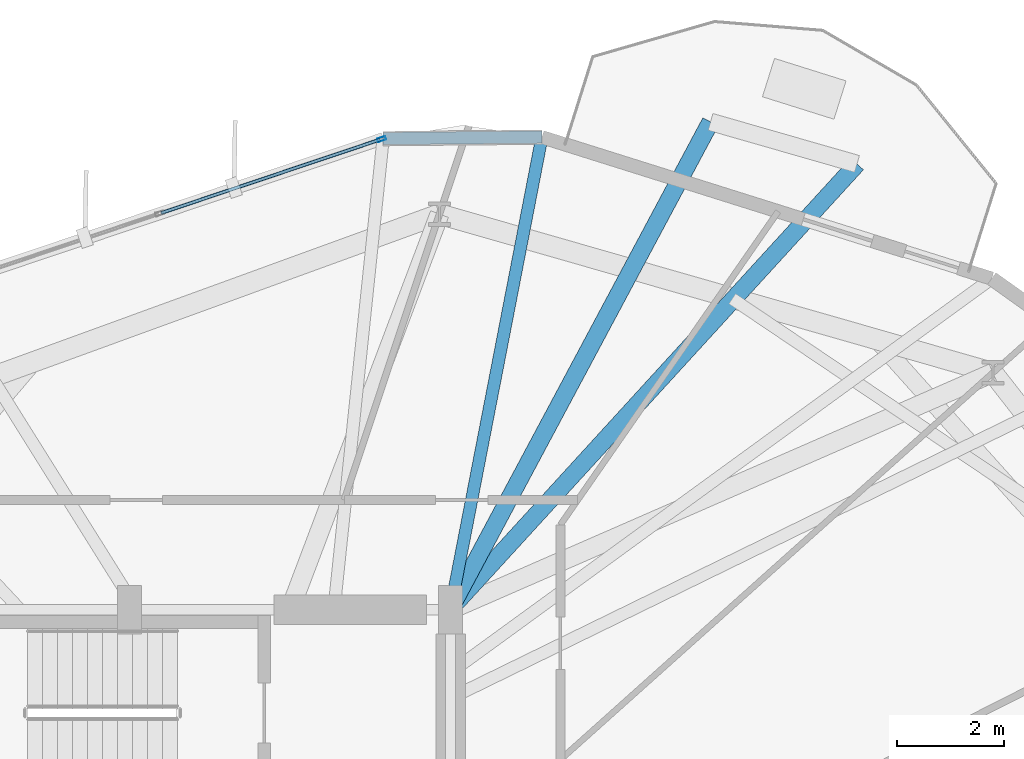
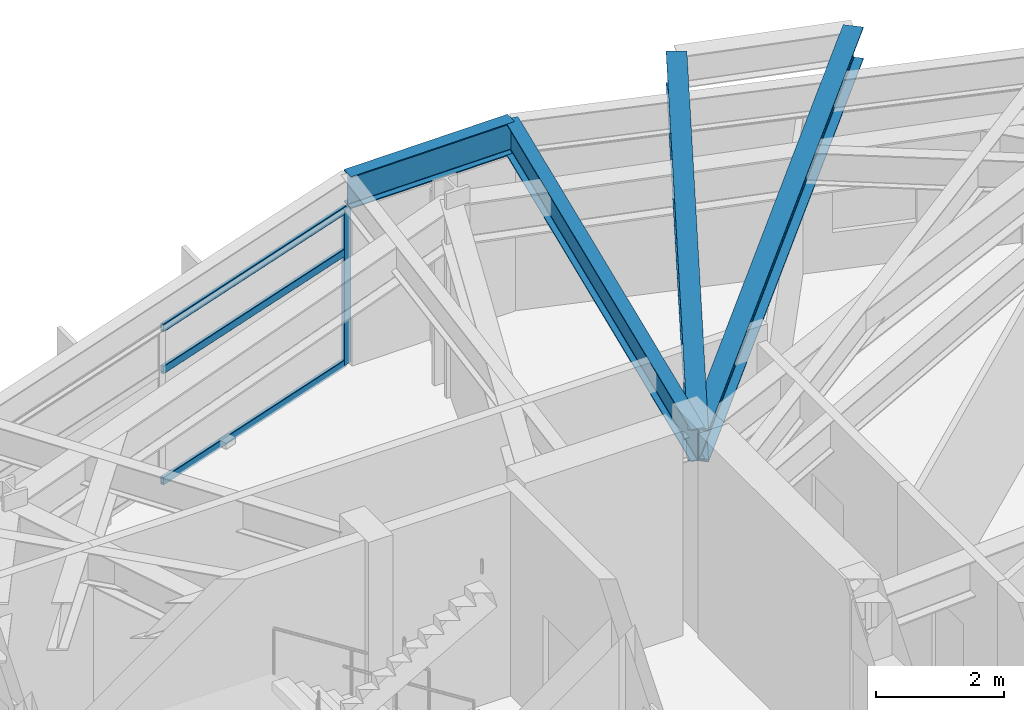
# One storey, part 18 of 27: 4 beams, 4 members, 1 element without a shape of its own.
"""IFC4 building model written with IfcOpenShell, lengths in metres."""

from ifc_helpers import new_model, si_unit, direction, frame, origin, origin_2d, place, context, subcontext, project, spatial, hollow_rectangle, i_section, extrude, material, layer, layer_set, material_profile, profile_set, type_object, element, aggregate, save


model = new_model("IFC4")

# Units and contexts
model_context = context("Model", 3, precision=1e-05, world=origin(), true_north=direction((0.0, 1.0)))
body_context = subcontext(model_context, "Body", "Model", "MODEL_VIEW")
ifc_project = project(units=[si_unit("LENGTHUNIT", "METRE"), si_unit("AREAUNIT", "SQUARE_METRE"), si_unit("VOLUMEUNIT", "CUBIC_METRE"), si_unit("PLANEANGLEUNIT", "RADIAN"), si_unit("MASSUNIT", "GRAM", prefix="KILO")], contexts=[model_context])

# Site, building, storey
site_placement = place(None, origin())
site = spatial("IfcSite", under=ifc_project, at=site_placement, CompositionType="ELEMENT")
building_placement = place(site_placement, origin())
building = spatial("IfcBuilding", under=site, at=building_placement, Name="Soratama Intermodal Tower", CompositionType="ELEMENT")
storey_placement = place(building_placement, frame((0.0, 0.0, 103.0)))
storey = spatial("IfcBuildingStorey", under=building, at=storey_placement, Name="L24", CompositionType="ELEMENT", Elevation=103.0)

# Beams
ifc_material_1 = material(Name="Structural steel ASTM A992 Grade 50", Category="steel")
ifc_material_profile_1 = material_profile(ifc_material_1, i_section(OverallWidth=0.324951171875, OverallDepth=0.615966796875, WebThickness=0.013916015625, FlangeThickness=0.021484375, FilletRadius=0.013916015625, at=origin_2d()), Name="W24X117")
ifc_profile_set_1 = profile_set([ifc_material_profile_1], Name="Structural steel ASTM A992 Grade 50")
beam_type_1 = type_object("IfcBeamType", Name="BM-CANT-W24X117", PredefinedType="BEAM", material=ifc_profile_set_1)
beam_1_placement = place(storey_placement, frame((44.60888671875, 35.030029296875, 3.2919921875), z_axis=(0.674633961888, 0.738152435116, 0.0), x_axis=(-0.738152435116, 0.674633961888, 0.0)))
element("IfcBeam", 1, at=beam_1_placement, inside=storey, type_object=beam_type_1, Name="BM-L24-CANT-2-1", PredefinedType="BEAM", context=body_context, shape_type="SweptSolid", body=[
    extrude(i_section(OverallWidth=0.324951171875, OverallDepth=0.615966796875, WebThickness=0.013916015625, FlangeThickness=0.021484375, FilletRadius=0.013916015625, at=origin_2d()), origin(), (0.0, 0.0, 1.0), 11.23876953125),
])
beam_2_placement = place(storey_placement, frame((44.60400390625, 35.034912109375, 3.2919921875), z_axis=(0.471378543734, 0.881930988518, 0.0), x_axis=(-0.881930988518, 0.471378543734, 0.0)))
element("IfcBeam", 2, at=beam_2_placement, inside=storey, type_object=beam_type_1, Name="BM-L24-CANT-2-2", PredefinedType="BEAM", context=body_context, shape_type="SweptSolid", body=[
    extrude(i_section(OverallWidth=0.324951171875, OverallDepth=0.615966796875, WebThickness=0.013916015625, FlangeThickness=0.021484375, FilletRadius=0.013916015625, at=origin_2d()), origin(), (0.0, 0.0, 1.0), 10.291259765625),
])
ifc_material_2 = material(Name="Structural steel ASTM A992 Grade 50", Category="steel")
ifc_material_profile_2 = material_profile(ifc_material_2, i_section(OverallWidth=0.22900390625, OverallDepth=0.612060546875, WebThickness=0.011962890625, FlangeThickness=0.01953125, FilletRadius=0.012939453125, at=origin_2d()), Name="W24X84")
ifc_profile_set_2 = profile_set([ifc_material_profile_2], Name="Structural steel ASTM A992 Grade 50")
beam_type_2 = type_object("IfcBeamType", Name="BM-SPN-W24X84", PredefinedType="SPANDREL", material=ifc_profile_set_2)
beam_3_placement = place(storey_placement, frame((46.305908203125, 43.827880859375, 3.2939453125), z_axis=(-0.999955970733, -0.009383847602, 0.0), x_axis=(0.009383847602, -0.999955970733, 0.0)))
element("IfcBeam", 3, at=beam_3_placement, inside=storey, type_object=beam_type_2, Name="BS-L24-CRN02", PredefinedType="SPANDREL", context=body_context, shape_type="SweptSolid", body=[
    extrude(i_section(OverallWidth=0.22900390625, OverallDepth=0.612060546875, WebThickness=0.011962890625, FlangeThickness=0.01953125, FilletRadius=0.012939453125, at=origin_2d()), origin(), (0.0, 0.0, 1.0), 2.966064453125),
])
ifc_material_3 = material(Name="Structural steel ASTM A992 Grade 50", Category="steel")
ifc_material_profile_3 = material_profile(ifc_material_3, i_section(OverallWidth=0.22900390625, OverallDepth=0.612060546875, WebThickness=0.011962890625, FlangeThickness=0.01953125, FilletRadius=0.012939453125, at=origin_2d()), Name="W24X84")
ifc_profile_set_3 = profile_set([ifc_material_profile_3], Name="Structural steel ASTM A992 Grade 50")
beam_type_3 = type_object("IfcBeamType", Name="BM-TIE-W24X84", PredefinedType="BEAM", material=ifc_profile_set_3)
beam_4_placement = place(storey_placement, frame((44.60302734375, 35.0390625, 3.2939453125), z_axis=(0.190217780672, 0.981741919201, 0.0), x_axis=(-0.981741919201, 0.190217780672, 0.0)))
element("IfcBeam", 4, at=beam_4_placement, inside=storey, type_object=beam_type_3, Name="BM-L24-TIE1-02", PredefinedType="BEAM", context=body_context, shape_type="SweptSolid", body=[
    extrude(i_section(OverallWidth=0.22900390625, OverallDepth=0.612060546875, WebThickness=0.011962890625, FlangeThickness=0.01953125, FilletRadius=0.012939453125, at=origin_2d()), origin(), (0.0, 0.0, 1.0), 8.9521484375),
])

# Curtain wall, members
ifc_material_4 = material(Name="Double-glazed aluminium curtain wall", Category="aluminium")
ifc_layer = layer(ifc_material_4, 0.159912109375)
ifc_layer_set = layer_set([ifc_layer], Name="Double-glazed aluminium curtain wall")
curtain_wall_type = type_object("IfcCurtainWallType", Name="CW-SYS-3", PredefinedType="NOTDEFINED", material=ifc_layer_set)
curtain_wall_placement = place(storey_placement, origin())
curtain_wall = element("IfcCurtainWall", 5, at=curtain_wall_placement, inside=storey, type_object=curtain_wall_type, Name="L24 Faceted Curtain Wall F03", PredefinedType="NOTDEFINED")
ifc_material_5 = material(Name="Anodised aluminium AA 6063-T6", Category="aluminium")
ifc_material_profile_4 = material_profile(ifc_material_5, hollow_rectangle(XDim=0.070068359375, YDim=0.159912109375, WallThickness=0.0048828125, InnerFilletRadius=0.0048828125, OuterFilletRadius=0.010009765625, at=origin_2d()), Name="CWM160X70X5")
ifc_profile_set_4 = profile_set([ifc_material_profile_4], Name="Anodised aluminium AA 6063-T6")
member_type_1 = type_object("IfcMemberType", Name="MT-CWM-3", PredefinedType="MULLION", material=ifc_profile_set_4)
member_1_placement = place(storey_placement, frame((43.31103515625, 43.7900390625, 0.0), z_axis=(0.0, 0.0, 1.0), x_axis=(0.317957776835, -0.948104874025, 0.0)))
member_1 = element("IfcMember", 6, at=member_1_placement, type_object=member_type_1, Name="CW-3 mullion 1", PredefinedType="MULLION", context=body_context, shape_type="SweptSolid", body=[
    extrude(hollow_rectangle(XDim=0.070068359375, YDim=0.159912109375, WallThickness=0.0048828125, InnerFilletRadius=0.0048828125, OuterFilletRadius=0.010009765625, at=origin_2d()), origin(), (0.0, 0.0, 1.0), 2.97900390625),
])
ifc_material_6 = material(Name="Anodised aluminium AA 6063-T6", Category="aluminium")
ifc_material_profile_5 = material_profile(ifc_material_6, hollow_rectangle(XDim=0.06494140625, YDim=0.14990234375, WallThickness=0.0048828125, InnerFilletRadius=0.0048828125, OuterFilletRadius=0.010009765625, at=origin_2d()), Name="CWT150X65X5")
ifc_profile_set_5 = profile_set([ifc_material_profile_5], Name="Anodised aluminium AA 6063-T6")
member_type_2 = type_object("IfcMemberType", Name="TT-CWT-1", PredefinedType="USERDEFINED", material=ifc_profile_set_5)
member_2_placement = place(storey_placement, frame((43.28271484375, 43.780517578125, 0.030029296875), z_axis=(-0.948098710802, -0.317976154098, 0.0), x_axis=(0.317976154098, -0.948098710802, 0.0)))
member_2 = element("IfcMember", 7, at=member_2_placement, type_object=member_type_2, Name="CW-3 transom 1.1", ObjectType="TRANSOM", PredefinedType="USERDEFINED", context=body_context, shape_type="SweptSolid", body=[
    extrude(hollow_rectangle(XDim=0.06494140625, YDim=0.14990234375, WallThickness=0.0048828125, InnerFilletRadius=0.0048828125, OuterFilletRadius=0.010009765625, at=origin_2d()), origin(), (0.0, 0.0, 1.0), 4.3134765625),
])
member_3_placement = place(storey_placement, frame((43.28271484375, 43.780517578125, 2.14990234375), z_axis=(-0.948098710802, -0.317976154098, 0.0), x_axis=(0.317976154098, -0.948098710802, 0.0)))
member_3 = element("IfcMember", 8, at=member_3_placement, type_object=member_type_2, Name="CW-3 transom 1.2", ObjectType="TRANSOM", PredefinedType="USERDEFINED", context=body_context, shape_type="SweptSolid", body=[
    extrude(hollow_rectangle(XDim=0.06494140625, YDim=0.14990234375, WallThickness=0.0048828125, InnerFilletRadius=0.0048828125, OuterFilletRadius=0.010009765625, at=origin_2d()), origin(), (0.0, 0.0, 1.0), 4.3134765625),
])
member_4_placement = place(storey_placement, frame((43.28271484375, 43.780517578125, 2.948974609375), z_axis=(-0.948098710802, -0.317976154098, 0.0), x_axis=(0.317976154098, -0.948098710802, 0.0)))
member_4 = element("IfcMember", 9, at=member_4_placement, type_object=member_type_2, Name="CW-3 transom 1.3", ObjectType="TRANSOM", PredefinedType="USERDEFINED", context=body_context, shape_type="SweptSolid", body=[
    extrude(hollow_rectangle(XDim=0.06494140625, YDim=0.14990234375, WallThickness=0.0048828125, InnerFilletRadius=0.0048828125, OuterFilletRadius=0.010009765625, at=origin_2d()), origin(), (0.0, 0.0, 1.0), 4.3134765625),
])
aggregate(curtain_wall, [member_1, member_2, member_3, member_4])

save(model, "model.ifc")
